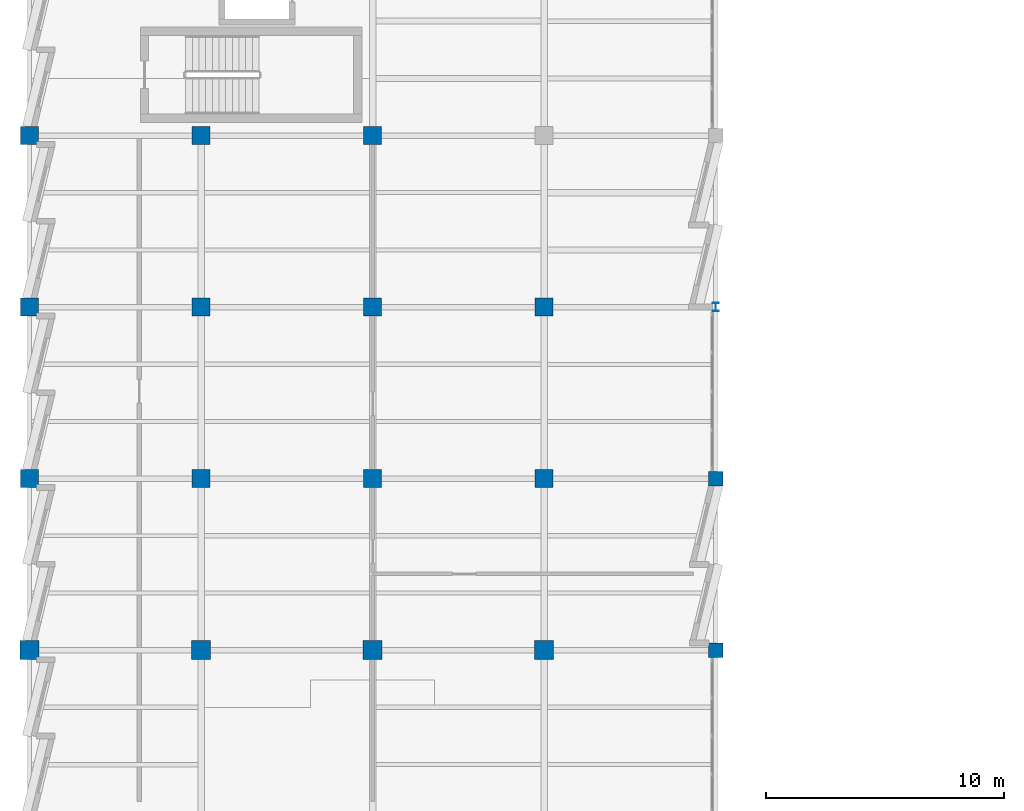
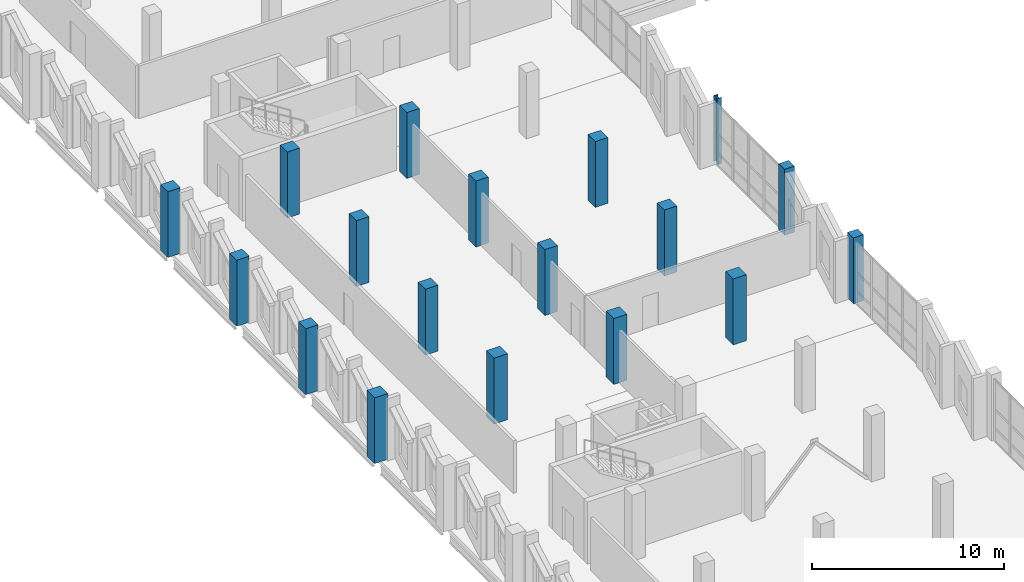
# One storey, part 7 of 94: 18 columns.
"""IFC4 building model written with IfcOpenShell, lengths in metres."""

from ifc_helpers import new_model, si_unit, direction, frame, origin, origin_2d, place, context, subcontext, project, spatial, rectangle, i_section, extrude, material, material_profile, profile_set, type_object, element, save


model = new_model("IFC4")

# Units and contexts
model_context = context("Model", 3, precision=1e-05, world=origin(), true_north=direction((0.0, 1.0)))
body_context = subcontext(model_context, "Body", "Model", "MODEL_VIEW")
ifc_project = project(units=[si_unit("LENGTHUNIT", "METRE"), si_unit("AREAUNIT", "SQUARE_METRE"), si_unit("VOLUMEUNIT", "CUBIC_METRE"), si_unit("PLANEANGLEUNIT", "RADIAN"), si_unit("MASSUNIT", "GRAM", prefix="KILO")], contexts=[model_context])

# Site, building, storey
site_placement = place(None, origin())
site = spatial("IfcSite", under=ifc_project, at=site_placement, CompositionType="ELEMENT")
building_placement = place(site_placement, origin())
building = spatial("IfcBuilding", under=site, at=building_placement, Name="Kalmorath City Hall", CompositionType="ELEMENT")
storey_placement = place(building_placement, frame((0.0, 0.0, 14.699951171875)))
storey = spatial("IfcBuildingStorey", under=building, at=storey_placement, Name="L03", CompositionType="ELEMENT", Elevation=14.699951171875)

# Columns
ifc_material_1 = material(Name="Concrete C50/60", Category="concrete")
ifc_material_profile_1 = material_profile(ifc_material_1, rectangle(XDim=0.60009765625, YDim=0.60009765625, at=origin_2d()), Name="RC-COL-600X600")
ifc_profile_set_1 = profile_set([ifc_material_profile_1], Name="Concrete C50/60")
column_type_1 = type_object("IfcColumnType", Name="Concrete column 600x600", PredefinedType="COLUMN", material=ifc_profile_set_1)
for number, where, z_axis, x_axis, name in (
    (1, (28.800048828125, 64.800048828125, 0.0), (0.0, 0.0, 1.0), (1.0, 0.0, 0.0), "L03 column C6 (5/10)"),
    (2, (28.800048828125, 72.0, 0.0), (0.0, 0.0, 1.0), (1.0, 0.0, 0.0), "L03 column C6 (5/11)"),
):
    element("IfcColumn", number, at=place(storey_placement, frame(where, z_axis=z_axis, x_axis=x_axis)), inside=storey, type_object=column_type_1, Name=name, PredefinedType="COLUMN", context=body_context, shape_type="SweptSolid", body=[
        extrude(rectangle(XDim=0.60009765625, YDim=0.60009765625, at=origin_2d()), origin(), (0.0, 0.0, 1.0), 4.199951171875),
    ])
ifc_material_2 = material(Name="Concrete C50/60", Category="concrete")
ifc_material_profile_2 = material_profile(ifc_material_2, rectangle(XDim=0.75, YDim=0.75, at=origin_2d()), Name="RC-COL-750X750")
ifc_profile_set_2 = profile_set([ifc_material_profile_2], Name="Concrete C50/60")
column_type_2 = type_object("IfcColumnType", Name="Concrete column 750x750", PredefinedType="COLUMN", material=ifc_profile_set_2)
for number, where, z_axis, x_axis, name in (
    (3, (0.0, 72.0, 0.0), (0.0, 0.0, 1.0), (1.0, 0.0, 0.0), "L03 column C3 (1/11)"),
    (4, (0.0, 79.199951171875, 0.0), (0.0, 0.0, 1.0), (1.0, 0.0, 0.0), "L03 column C3 (1/12)"),
    (5, (0.0, 86.39990234375, 0.0), (0.0, 0.0, 1.0), (1.0, 0.0, 0.0), "L03 column C3 (1/13)"),
    (6, (7.199951171875, 72.0, 0.0), (0.0, 0.0, 1.0), (1.0, 0.0, 0.0), "L03 column C3 (2/11)"),
    (7, (7.199951171875, 79.199951171875, 0.0), (0.0, 0.0, 1.0), (1.0, 0.0, 0.0), "L03 column C3 (2/12)"),
    (8, (7.199951171875, 86.39990234375, 0.0), (0.0, 0.0, 1.0), (1.0, 0.0, 0.0), "L03 column C3 (2/13)"),
    (9, (14.39990234375, 72.0, 0.0), (0.0, 0.0, 1.0), (1.0, 0.0, 0.0), "L03 column C3 (3/11)"),
    (10, (14.39990234375, 79.199951171875, 0.0), (0.0, 0.0, 1.0), (1.0, 0.0, 0.0), "L03 column C3 (3/12)"),
    (11, (14.39990234375, 86.39990234375, 0.0), (0.0, 0.0, 1.0), (1.0, 0.0, 0.0), "L03 column C3 (3/13)"),
    (12, (21.60009765625, 72.0, 0.0), (0.0, 0.0, 1.0), (1.0, 0.0, 0.0), "L03 column C3 (4/11)"),
    (13, (21.60009765625, 79.199951171875, 0.0), (0.0, 0.0, 1.0), (1.0, 0.0, 0.0), "L03 column C3 (4/12)"),
):
    element("IfcColumn", number, at=place(storey_placement, frame(where, z_axis=z_axis, x_axis=x_axis)), inside=storey, type_object=column_type_2, Name=name, PredefinedType="COLUMN", context=body_context, shape_type="SweptSolid", body=[
        extrude(rectangle(XDim=0.75, YDim=0.75, at=origin_2d()), origin(), (0.0, 0.0, 1.0), 4.199951171875),
    ])
ifc_material_3 = material(Name="Concrete C50/60", Category="concrete")
ifc_material_profile_3 = material_profile(ifc_material_3, rectangle(XDim=0.800048828125, YDim=0.800048828125, at=origin_2d()), Name="RC-COL-800X800")
ifc_profile_set_3 = profile_set([ifc_material_profile_3], Name="Concrete C50/60")
column_type_3 = type_object("IfcColumnType", Name="Concrete column 800x800", PredefinedType="COLUMN", material=ifc_profile_set_3)
for number, where, z_axis, x_axis, name in (
    (14, (0.0, 64.800048828125, 0.0), (0.0, 0.0, 1.0), (1.0, 0.0, 0.0), "L03 column C2 (1/10)"),
    (15, (7.199951171875, 64.800048828125, 0.0), (0.0, 0.0, 1.0), (1.0, 0.0, 0.0), "L03 column C2 (2/10)"),
    (16, (14.39990234375, 64.800048828125, 0.0), (0.0, 0.0, 1.0), (1.0, 0.0, 0.0), "L03 column C2 (3/10)"),
    (17, (21.60009765625, 64.800048828125, 0.0), (0.0, 0.0, 1.0), (1.0, 0.0, 0.0), "L03 column C2 (4/10)"),
):
    element("IfcColumn", number, at=place(storey_placement, frame(where, z_axis=z_axis, x_axis=x_axis)), inside=storey, type_object=column_type_3, Name=name, PredefinedType="COLUMN", context=body_context, shape_type="SweptSolid", body=[
        extrude(rectangle(XDim=0.800048828125, YDim=0.800048828125, at=origin_2d()), origin(), (0.0, 0.0, 1.0), 4.199951171875),
    ])
ifc_material_4 = material(Name="Steel ASTM A992 Grade 50", Category="steel")
ifc_material_profile_4 = material_profile(ifc_material_4, i_section(OverallWidth=0.25390625, OverallDepth=0.35302734375, WebThickness=0.009521484375, FlangeThickness=0.016357421875, FilletRadius=0.014892578125, at=origin_2d()), Name="W14X61")
ifc_profile_set_4 = profile_set([ifc_material_profile_4], Name="Steel ASTM A992 Grade 50")
column_type_4 = type_object("IfcColumnType", Name="Steel wide-flange column W14X61", PredefinedType="COLUMN", material=ifc_profile_set_4)
column_placement = place(storey_placement, frame((28.800048828125, 79.199951171875, 0.0), z_axis=(0.0, 0.0, 1.0), x_axis=(1.0, 0.0, 0.0)))
element("IfcColumn", 18, at=column_placement, inside=storey, type_object=column_type_4, Name="L03 column SC1 (5/12)", PredefinedType="COLUMN", context=body_context, shape_type="SweptSolid", body=[
    extrude(i_section(OverallWidth=0.25390625, OverallDepth=0.35302734375, WebThickness=0.009521484375, FlangeThickness=0.016357421875, FilletRadius=0.014892578125, at=origin_2d()), origin(), (0.0, 0.0, 1.0), 4.199951171875),
])

save(model, "model.ifc")
